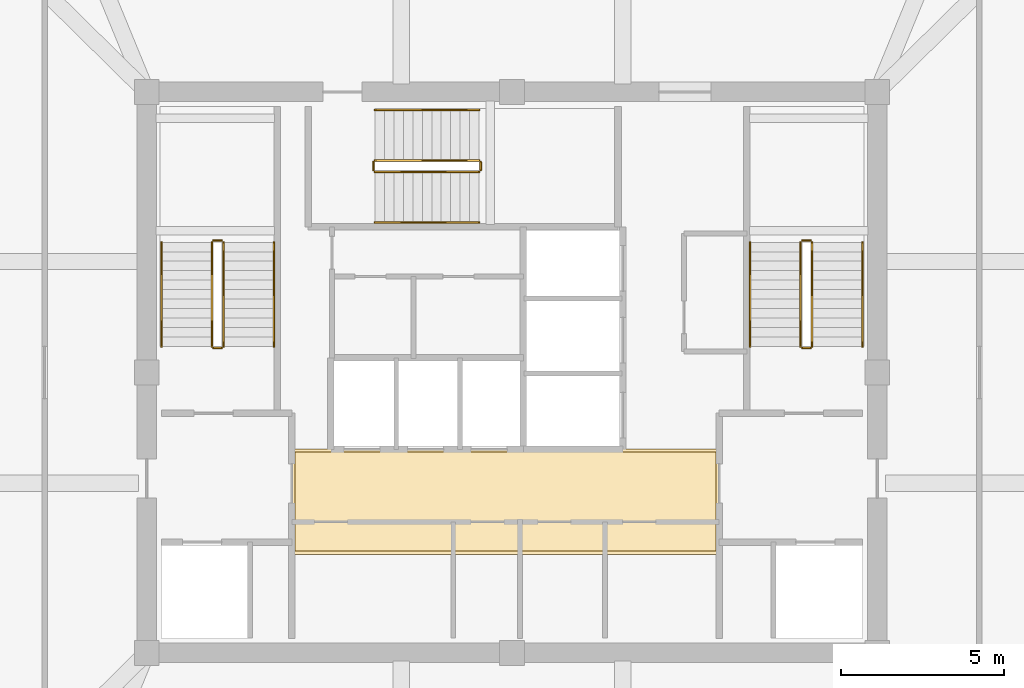
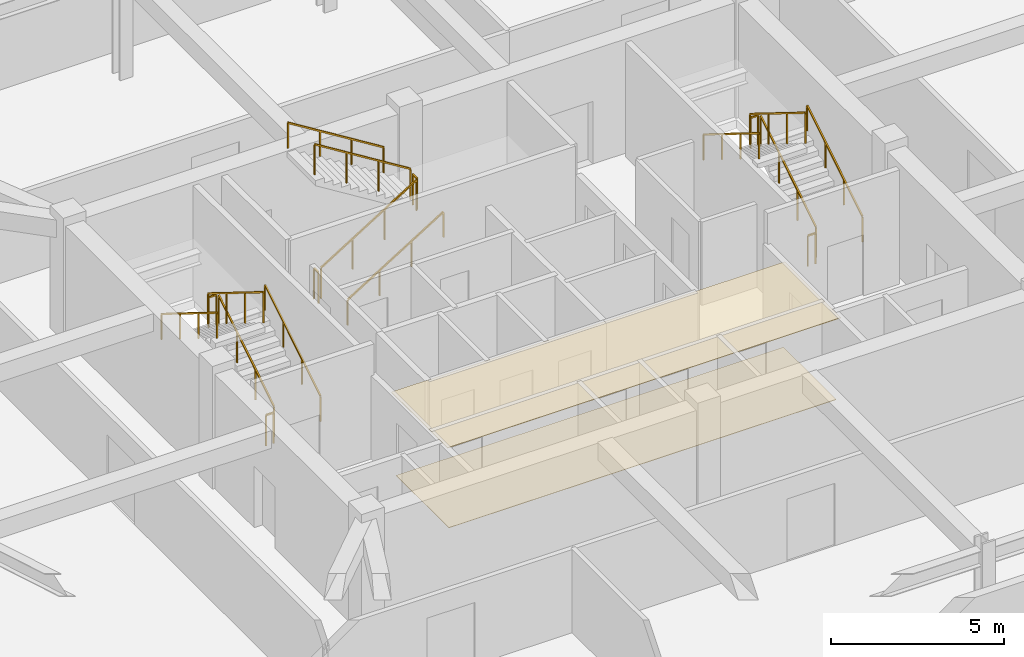
# One storey, part 9 of 9: 18 railings, 2 coverings.
"""IFC4 building model written with IfcOpenShell, lengths in metres."""

from ifc_helpers import new_model, si_unit, derived_unit, direction, frame, origin, origin_2d, place, context, subcontext, project, spatial, polyline, rectangle, outline, extrude, material, layer, layer_set, type_object, element, save


model = new_model("IFC4")

# Units and contexts
model_context = context("Model", 3, precision=1e-05, world=origin(), true_north=direction((0.0, 1.0)))
body_context = subcontext(model_context, "Body", "Model", "MODEL_VIEW")
ifc_project = project(units=[si_unit("LENGTHUNIT", "METRE"), si_unit("AREAUNIT", "SQUARE_METRE"), si_unit("VOLUMEUNIT", "CUBIC_METRE"), si_unit("PLANEANGLEUNIT", "RADIAN"), si_unit("MASSUNIT", "GRAM", prefix="KILO"), derived_unit("THERMALTRANSMITTANCEUNIT", [(si_unit("POWERUNIT", "WATT"), 1), (si_unit("LENGTHUNIT", "METRE"), -2), (si_unit("THERMODYNAMICTEMPERATUREUNIT", "KELVIN"), -1)])], contexts=[model_context])

# Site, building, storey
site_placement = place(None, origin())
site = spatial("IfcSite", under=ifc_project, at=site_placement, CompositionType="ELEMENT")
building_placement = place(site_placement, origin())
building = spatial("IfcBuilding", under=site, at=building_placement, Name="Koralith Skygarden Medical Center", CompositionType="ELEMENT")
storey_placement = place(building_placement, frame((0.0, 0.0, 290.340087890625)))
storey = spatial("IfcBuildingStorey", under=building, at=storey_placement, Name="L75", CompositionType="ELEMENT", Elevation=290.340087890625)

# Coverings
ifc_material_1 = material(Name="Acoustic Mineral Tile")
ifc_layer_1 = layer(ifc_material_1, 0.02001953125)
ifc_layer_set_1 = layer_set([ifc_layer_1], Name="Acoustic Mineral Tile")
covering_type_1 = type_object("IfcCoveringType", Name="Acoustic Hygienic Mineral Ceiling 20", PredefinedType="CEILING", material=ifc_layer_set_1)
covering_1_placement = place(storey_placement, frame((0.0, 0.0, 2.905029296875)))
element("IfcCovering", 1, at=covering_1_placement, inside=storey, type_object=covering_type_1, Name="L75 Core Lobby Acoustic Ceiling", PredefinedType="CEILING", context=body_context, shape_type="SweptSolid", body=[
    extrude(outline(polyline([(30.25, 20.320068359375), (43.35009765625, 20.320068359375), (43.35009765625, 23.56005859375), (30.25, 23.56005859375), (30.25, 20.320068359375)])), origin(), (0.0, 0.0, 1.0), 0.019775390625),
])
ifc_material_2 = material(Name="Medical Terrazzo Flooring")
ifc_layer_2 = layer(ifc_material_2, 0.014892578125)
ifc_layer_set_2 = layer_set([ifc_layer_2], Name="Medical Terrazzo Flooring")
covering_type_2 = type_object("IfcCoveringType", Name="Seamless Antimicrobial Terrazzo Flooring 15", PredefinedType="FLOORING", material=ifc_layer_set_2)
covering_2_placement = place(storey_placement, origin())
element("IfcCovering", 2, at=covering_2_placement, inside=storey, type_object=covering_type_2, Name="L75 Core Lobby Terrazzo Flooring", PredefinedType="FLOORING", context=body_context, shape_type="SweptSolid", body=[
    extrude(outline(polyline([(30.35009765625, 20.419921875), (43.25, 20.419921875), (43.25, 23.4599609375), (30.35009765625, 23.4599609375), (30.35009765625, 20.419921875)])), origin(), (0.0, 0.0, 1.0), 0.014892578125),
])

# Railings
ifc_material_3 = material(Name="Steel ASTM A500 Grade C", Category="steel")
railing_type_1 = type_object("IfcRailingType", Name="Stair Flight Tubular Handrail 920", PredefinedType="HANDRAIL", material=ifc_material_3)
railing_1_placement = place(storey_placement, frame((29.699951171875, 26.699951171875, 0.179931640625)))
element("IfcRailing", 3, at=railing_1_placement, inside=storey, type_object=railing_type_1, Name="L75 ST1 stair handrail 1", PredefinedType="HANDRAIL", context=body_context, shape_type="SweptSolid", body=[
    extrude(rectangle(XDim=0.050048828125, YDim=0.050048828125, at=origin_2d()), frame((0.0, 0.001708984375, 0.89599609375), z_axis=(0.0, 0.849638156785, 0.527366099152), x_axis=(-1.0, 0.0, 0.0)), (0.0, 0.0, 1.0), 3.75048828125),
    extrude(rectangle(XDim=0.0419921875, YDim=0.0419921875, at=origin_2d()), origin(), (0.0, 0.0, 1.0), 0.867919921875),
    extrude(rectangle(XDim=0.0419921875, YDim=0.0419921875, at=origin_2d()), frame((0.0, 1.063232421875, 0.659912109375)), (0.0, 0.0, 1.0), 0.867919921875),
    extrude(rectangle(XDim=0.0419921875, YDim=0.0419921875, at=origin_2d()), frame((0.0, 2.126708984375, 1.320068359375)), (0.0, 0.0, 1.0), 0.867919921875),
    extrude(rectangle(XDim=0.0419921875, YDim=0.0419921875, at=origin_2d()), frame((0.0, 3.18994140625, 1.97998046875)), (0.0, 0.0, 1.0), 0.867919921875),
])
railing_2_placement = place(storey_placement, frame((26.25, 29.889892578125, 2.33984375)))
element("IfcRailing", 4, at=railing_2_placement, inside=storey, type_object=railing_type_1, Name="L75 ST1 stair handrail 2", PredefinedType="HANDRAIL", context=body_context, shape_type="SweptSolid", body=[
    extrude(rectangle(XDim=0.050048828125, YDim=0.050048828125, at=origin_2d()), frame((0.0, -0.001708984375, 0.89599609375), z_axis=(0.0, -0.849638156785, 0.527366099152), x_axis=(1.0, 0.0, 0.0)), (0.0, 0.0, 1.0), 3.75048828125),
    extrude(rectangle(XDim=0.0419921875, YDim=0.0419921875, at=origin_2d()), origin(), (0.0, 0.0, 1.0), 0.867919921875),
    extrude(rectangle(XDim=0.0419921875, YDim=0.0419921875, at=origin_2d()), frame((0.0, -1.063232421875, 0.659912109375)), (0.0, 0.0, 1.0), 0.867919921875),
    extrude(rectangle(XDim=0.0419921875, YDim=0.0419921875, at=origin_2d()), frame((0.0, -2.126708984375, 1.320068359375)), (0.0, 0.0, 1.0), 0.867919921875),
    extrude(rectangle(XDim=0.0419921875, YDim=0.0419921875, at=origin_2d()), frame((0.0, -3.18994140625, 1.97998046875)), (0.0, 0.0, 1.0), 0.867919921875),
])
railing_3_placement = place(storey_placement, frame((47.75, 26.699951171875, 0.179931640625)))
element("IfcRailing", 5, at=railing_3_placement, inside=storey, type_object=railing_type_1, Name="L75 ST2 stair handrail 1", PredefinedType="HANDRAIL", context=body_context, shape_type="SweptSolid", body=[
    extrude(rectangle(XDim=0.050048828125, YDim=0.050048828125, at=origin_2d()), frame((0.0, 0.001708984375, 0.89599609375), z_axis=(0.0, 0.849638156785, 0.527366099152), x_axis=(-1.0, 0.0, 0.0)), (0.0, 0.0, 1.0), 3.75048828125),
    extrude(rectangle(XDim=0.0419921875, YDim=0.0419921875, at=origin_2d()), origin(), (0.0, 0.0, 1.0), 0.867919921875),
    extrude(rectangle(XDim=0.0419921875, YDim=0.0419921875, at=origin_2d()), frame((0.0, 1.063232421875, 0.659912109375)), (0.0, 0.0, 1.0), 0.867919921875),
    extrude(rectangle(XDim=0.0419921875, YDim=0.0419921875, at=origin_2d()), frame((0.0, 2.126708984375, 1.320068359375)), (0.0, 0.0, 1.0), 0.867919921875),
    extrude(rectangle(XDim=0.0419921875, YDim=0.0419921875, at=origin_2d()), frame((0.0, 3.18994140625, 1.97998046875)), (0.0, 0.0, 1.0), 0.867919921875),
])
railing_4_placement = place(storey_placement, frame((44.300048828125, 29.889892578125, 2.33984375)))
element("IfcRailing", 6, at=railing_4_placement, inside=storey, type_object=railing_type_1, Name="L75 ST2 stair handrail 2", PredefinedType="HANDRAIL", context=body_context, shape_type="SweptSolid", body=[
    extrude(rectangle(XDim=0.050048828125, YDim=0.050048828125, at=origin_2d()), frame((0.0, -0.001708984375, 0.89599609375), z_axis=(0.0, -0.849638156785, 0.527366099152), x_axis=(1.0, 0.0, 0.0)), (0.0, 0.0, 1.0), 3.75048828125),
    extrude(rectangle(XDim=0.0419921875, YDim=0.0419921875, at=origin_2d()), origin(), (0.0, 0.0, 1.0), 0.867919921875),
    extrude(rectangle(XDim=0.0419921875, YDim=0.0419921875, at=origin_2d()), frame((0.0, -1.063232421875, 0.659912109375)), (0.0, 0.0, 1.0), 0.867919921875),
    extrude(rectangle(XDim=0.0419921875, YDim=0.0419921875, at=origin_2d()), frame((0.0, -2.126708984375, 1.320068359375)), (0.0, 0.0, 1.0), 0.867919921875),
    extrude(rectangle(XDim=0.0419921875, YDim=0.0419921875, at=origin_2d()), frame((0.0, -3.18994140625, 1.97998046875)), (0.0, 0.0, 1.0), 0.867919921875),
])
railing_5_placement = place(storey_placement, frame((32.800048828125, 30.5, 0.179931640625)))
element("IfcRailing", 7, at=railing_5_placement, inside=storey, type_object=railing_type_1, Name="L75 ST3 stair handrail 1", PredefinedType="HANDRAIL", context=body_context, shape_type="SweptSolid", body=[
    extrude(rectangle(XDim=0.050048828125, YDim=0.050048828125, at=origin_2d()), frame((0.001708984375, 0.0, 0.89599609375), z_axis=(0.849638156785, 0.0, 0.527366099152), x_axis=(0.0, 1.0, 0.0)), (0.0, 0.0, 1.0), 3.75048828125),
    extrude(rectangle(XDim=0.0419921875, YDim=0.0419921875, at=origin_2d()), origin(), (0.0, 0.0, 1.0), 0.867919921875),
    extrude(rectangle(XDim=0.0419921875, YDim=0.0419921875, at=origin_2d()), frame((1.063232421875, 0.0, 0.659912109375)), (0.0, 0.0, 1.0), 0.867919921875),
    extrude(rectangle(XDim=0.0419921875, YDim=0.0419921875, at=origin_2d()), frame((2.126708984375, 0.0, 1.320068359375)), (0.0, 0.0, 1.0), 0.867919921875),
    extrude(rectangle(XDim=0.0419921875, YDim=0.0419921875, at=origin_2d()), frame((3.18994140625, 0.0, 1.97998046875)), (0.0, 0.0, 1.0), 0.867919921875),
])
railing_6_placement = place(storey_placement, frame((35.989990234375, 33.949951171875, 2.33984375)))
element("IfcRailing", 8, at=railing_6_placement, inside=storey, type_object=railing_type_1, Name="L75 ST3 stair handrail 2", PredefinedType="HANDRAIL", context=body_context, shape_type="SweptSolid", body=[
    extrude(rectangle(XDim=0.050048828125, YDim=0.050048828125, at=origin_2d()), frame((-0.001708984375, 0.0, 0.89599609375), z_axis=(-0.849638156785, 0.0, 0.527366099152), x_axis=(0.0, -1.0, 0.0)), (0.0, 0.0, 1.0), 3.75048828125),
    extrude(rectangle(XDim=0.0419921875, YDim=0.0419921875, at=origin_2d()), origin(), (0.0, 0.0, 1.0), 0.867919921875),
    extrude(rectangle(XDim=0.0419921875, YDim=0.0419921875, at=origin_2d()), frame((-1.063232421875, 0.0, 0.659912109375)), (0.0, 0.0, 1.0), 0.867919921875),
    extrude(rectangle(XDim=0.0419921875, YDim=0.0419921875, at=origin_2d()), frame((-2.126708984375, 0.0, 1.320068359375)), (0.0, 0.0, 1.0), 0.867919921875),
    extrude(rectangle(XDim=0.0419921875, YDim=0.0419921875, at=origin_2d()), frame((-3.18994140625, 0.0, 1.97998046875)), (0.0, 0.0, 1.0), 0.867919921875),
])
railing_type_2 = type_object("IfcRailingType", Name="Stair Well Safety Guardrail 1100", PredefinedType="GUARDRAIL", material=ifc_material_3)
railing_7_placement = place(storey_placement, frame((28.14990234375, 26.699951171875, 0.179931640625)))
element("IfcRailing", 9, at=railing_7_placement, inside=storey, type_object=railing_type_2, Name="L75 ST1 stair guard 1", PredefinedType="GUARDRAIL", context=body_context, shape_type="SweptSolid", body=[
    extrude(rectangle(XDim=0.050048828125, YDim=0.050048828125, at=origin_2d()), frame((0.0, 0.001708984375, 1.076171875), z_axis=(0.0, 0.849638156785, 0.527366099152), x_axis=(-1.0, 0.0, 0.0)), (0.0, 0.0, 1.0), 3.75048828125),
    extrude(rectangle(XDim=0.0419921875, YDim=0.0419921875, at=origin_2d()), origin(), (0.0, 0.0, 1.0), 1.048095703125),
    extrude(rectangle(XDim=0.0419921875, YDim=0.0419921875, at=origin_2d()), frame((0.0, 1.063232421875, 0.659912109375)), (0.0, 0.0, 1.0), 1.048095703125),
    extrude(rectangle(XDim=0.0419921875, YDim=0.0419921875, at=origin_2d()), frame((0.0, 2.126708984375, 1.320068359375)), (0.0, 0.0, 1.0), 1.048095703125),
    extrude(rectangle(XDim=0.0419921875, YDim=0.0419921875, at=origin_2d()), frame((0.0, 3.18994140625, 1.97998046875)), (0.0, 0.0, 1.0), 1.048095703125),
])
railing_8_placement = place(storey_placement, frame((28.10009765625, 29.93994140625, 2.159912109375)))
element("IfcRailing", 10, at=railing_8_placement, inside=storey, type_object=railing_type_2, Name="L75 ST1 stair guard 2", PredefinedType="GUARDRAIL", context=body_context, shape_type="SweptSolid", body=[
    extrude(rectangle(XDim=0.050048828125, YDim=0.050048828125, at=origin_2d()), frame((-0.001953125, 0.0, 1.0751953125), z_axis=(-1.0, 0.0, 0.0), x_axis=(0.0, -1.0, 0.0)), (0.0, 0.0, 1.0), 0.24609375),
    extrude(rectangle(XDim=0.0419921875, YDim=0.0419921875, at=origin_2d()), origin(), (0.0, 0.0, 1.0), 1.048095703125),
    extrude(rectangle(XDim=0.0419921875, YDim=0.0419921875, at=origin_2d()), frame((-0.25, 0.0, 0.0)), (0.0, 0.0, 1.0), 1.048095703125),
])
railing_9_placement = place(storey_placement, frame((27.800048828125, 29.889892578125, 2.33984375)))
element("IfcRailing", 11, at=railing_9_placement, inside=storey, type_object=railing_type_2, Name="L75 ST1 stair guard 3", PredefinedType="GUARDRAIL", context=body_context, shape_type="SweptSolid", body=[
    extrude(rectangle(XDim=0.050048828125, YDim=0.050048828125, at=origin_2d()), frame((0.0, -0.001708984375, 1.076171875), z_axis=(0.0, -0.849638156785, 0.527366099152), x_axis=(1.0, 0.0, 0.0)), (0.0, 0.0, 1.0), 3.75048828125),
    extrude(rectangle(XDim=0.0419921875, YDim=0.0419921875, at=origin_2d()), origin(), (0.0, 0.0, 1.0), 1.048095703125),
    extrude(rectangle(XDim=0.0419921875, YDim=0.0419921875, at=origin_2d()), frame((0.0, -1.063232421875, 0.659912109375)), (0.0, 0.0, 1.0), 1.048095703125),
    extrude(rectangle(XDim=0.0419921875, YDim=0.0419921875, at=origin_2d()), frame((0.0, -2.126708984375, 1.320068359375)), (0.0, 0.0, 1.0), 1.048095703125),
    extrude(rectangle(XDim=0.0419921875, YDim=0.0419921875, at=origin_2d()), frame((0.0, -3.18994140625, 1.97998046875)), (0.0, 0.0, 1.0), 1.048095703125),
])
railing_10_placement = place(storey_placement, frame((28.10009765625, 26.64990234375, 0.0)))
element("IfcRailing", 12, at=railing_10_placement, inside=storey, type_object=railing_type_2, Name="L75 ST1 stair guard 4", PredefinedType="GUARDRAIL", context=body_context, shape_type="SweptSolid", body=[
    extrude(rectangle(XDim=0.050048828125, YDim=0.050048828125, at=origin_2d()), frame((-0.001953125, 0.0, 1.0751953125), z_axis=(-1.0, 0.0, 0.0), x_axis=(0.0, -1.0, 0.0)), (0.0, 0.0, 1.0), 0.24609375),
    extrude(rectangle(XDim=0.0419921875, YDim=0.0419921875, at=origin_2d()), origin(), (0.0, 0.0, 1.0), 1.048095703125),
    extrude(rectangle(XDim=0.0419921875, YDim=0.0419921875, at=origin_2d()), frame((-0.25, 0.0, 0.0)), (0.0, 0.0, 1.0), 1.048095703125),
])
railing_11_placement = place(storey_placement, frame((46.199951171875, 26.699951171875, 0.179931640625)))
element("IfcRailing", 13, at=railing_11_placement, inside=storey, type_object=railing_type_2, Name="L75 ST2 stair guard 1", PredefinedType="GUARDRAIL", context=body_context, shape_type="SweptSolid", body=[
    extrude(rectangle(XDim=0.050048828125, YDim=0.050048828125, at=origin_2d()), frame((0.0, 0.001708984375, 1.076171875), z_axis=(0.0, 0.849638156785, 0.527366099152), x_axis=(-1.0, 0.0, 0.0)), (0.0, 0.0, 1.0), 3.75048828125),
    extrude(rectangle(XDim=0.0419921875, YDim=0.0419921875, at=origin_2d()), origin(), (0.0, 0.0, 1.0), 1.048095703125),
    extrude(rectangle(XDim=0.0419921875, YDim=0.0419921875, at=origin_2d()), frame((0.0, 1.063232421875, 0.659912109375)), (0.0, 0.0, 1.0), 1.048095703125),
    extrude(rectangle(XDim=0.0419921875, YDim=0.0419921875, at=origin_2d()), frame((0.0, 2.126708984375, 1.320068359375)), (0.0, 0.0, 1.0), 1.048095703125),
    extrude(rectangle(XDim=0.0419921875, YDim=0.0419921875, at=origin_2d()), frame((0.0, 3.18994140625, 1.97998046875)), (0.0, 0.0, 1.0), 1.048095703125),
])
railing_12_placement = place(storey_placement, frame((46.14990234375, 29.93994140625, 2.159912109375)))
element("IfcRailing", 14, at=railing_12_placement, inside=storey, type_object=railing_type_2, Name="L75 ST2 stair guard 2", PredefinedType="GUARDRAIL", context=body_context, shape_type="SweptSolid", body=[
    extrude(rectangle(XDim=0.050048828125, YDim=0.050048828125, at=origin_2d()), frame((-0.001953125, 0.0, 1.0751953125), z_axis=(-1.0, 0.0, 0.0), x_axis=(0.0, -1.0, 0.0)), (0.0, 0.0, 1.0), 0.24609375),
    extrude(rectangle(XDim=0.0419921875, YDim=0.0419921875, at=origin_2d()), origin(), (0.0, 0.0, 1.0), 1.048095703125),
    extrude(rectangle(XDim=0.0419921875, YDim=0.0419921875, at=origin_2d()), frame((-0.25, 0.0, 0.0)), (0.0, 0.0, 1.0), 1.048095703125),
])
railing_13_placement = place(storey_placement, frame((45.85009765625, 29.889892578125, 2.33984375)))
element("IfcRailing", 15, at=railing_13_placement, inside=storey, type_object=railing_type_2, Name="L75 ST2 stair guard 3", PredefinedType="GUARDRAIL", context=body_context, shape_type="SweptSolid", body=[
    extrude(rectangle(XDim=0.050048828125, YDim=0.050048828125, at=origin_2d()), frame((0.0, -0.001708984375, 1.076171875), z_axis=(0.0, -0.849638156785, 0.527366099152), x_axis=(1.0, 0.0, 0.0)), (0.0, 0.0, 1.0), 3.75048828125),
    extrude(rectangle(XDim=0.0419921875, YDim=0.0419921875, at=origin_2d()), origin(), (0.0, 0.0, 1.0), 1.048095703125),
    extrude(rectangle(XDim=0.0419921875, YDim=0.0419921875, at=origin_2d()), frame((0.0, -1.063232421875, 0.659912109375)), (0.0, 0.0, 1.0), 1.048095703125),
    extrude(rectangle(XDim=0.0419921875, YDim=0.0419921875, at=origin_2d()), frame((0.0, -2.126708984375, 1.320068359375)), (0.0, 0.0, 1.0), 1.048095703125),
    extrude(rectangle(XDim=0.0419921875, YDim=0.0419921875, at=origin_2d()), frame((0.0, -3.18994140625, 1.97998046875)), (0.0, 0.0, 1.0), 1.048095703125),
])
railing_14_placement = place(storey_placement, frame((46.14990234375, 26.64990234375, 0.0)))
element("IfcRailing", 16, at=railing_14_placement, inside=storey, type_object=railing_type_2, Name="L75 ST2 stair guard 4", PredefinedType="GUARDRAIL", context=body_context, shape_type="SweptSolid", body=[
    extrude(rectangle(XDim=0.050048828125, YDim=0.050048828125, at=origin_2d()), frame((-0.001953125, 0.0, 1.0751953125), z_axis=(-1.0, 0.0, 0.0), x_axis=(0.0, -1.0, 0.0)), (0.0, 0.0, 1.0), 0.24609375),
    extrude(rectangle(XDim=0.0419921875, YDim=0.0419921875, at=origin_2d()), origin(), (0.0, 0.0, 1.0), 1.048095703125),
    extrude(rectangle(XDim=0.0419921875, YDim=0.0419921875, at=origin_2d()), frame((-0.25, 0.0, 0.0)), (0.0, 0.0, 1.0), 1.048095703125),
])
railing_15_placement = place(storey_placement, frame((32.800048828125, 32.050048828125, 0.179931640625)))
element("IfcRailing", 17, at=railing_15_placement, inside=storey, type_object=railing_type_2, Name="L75 ST3 stair guard 1", PredefinedType="GUARDRAIL", context=body_context, shape_type="SweptSolid", body=[
    extrude(rectangle(XDim=0.050048828125, YDim=0.050048828125, at=origin_2d()), frame((0.001708984375, 0.0, 1.076171875), z_axis=(0.849638156785, 0.0, 0.527366099152), x_axis=(0.0, 1.0, 0.0)), (0.0, 0.0, 1.0), 3.75048828125),
    extrude(rectangle(XDim=0.0419921875, YDim=0.0419921875, at=origin_2d()), origin(), (0.0, 0.0, 1.0), 1.048095703125),
    extrude(rectangle(XDim=0.0419921875, YDim=0.0419921875, at=origin_2d()), frame((1.063232421875, 0.0, 0.659912109375)), (0.0, 0.0, 1.0), 1.048095703125),
    extrude(rectangle(XDim=0.0419921875, YDim=0.0419921875, at=origin_2d()), frame((2.126708984375, 0.0, 1.320068359375)), (0.0, 0.0, 1.0), 1.048095703125),
    extrude(rectangle(XDim=0.0419921875, YDim=0.0419921875, at=origin_2d()), frame((3.18994140625, 0.0, 1.97998046875)), (0.0, 0.0, 1.0), 1.048095703125),
])
railing_16_placement = place(storey_placement, frame((36.0400390625, 32.10009765625, 2.159912109375)))
element("IfcRailing", 18, at=railing_16_placement, inside=storey, type_object=railing_type_2, Name="L75 ST3 stair guard 2", PredefinedType="GUARDRAIL", context=body_context, shape_type="SweptSolid", body=[
    extrude(rectangle(XDim=0.050048828125, YDim=0.050048828125, at=origin_2d()), frame((0.0, 0.001953125, 1.0751953125), z_axis=(0.0, 1.0, 0.0), x_axis=(-1.0, 0.0, 0.0)), (0.0, 0.0, 1.0), 0.24609375),
    extrude(rectangle(XDim=0.0419921875, YDim=0.0419921875, at=origin_2d()), origin(), (0.0, 0.0, 1.0), 1.048095703125),
    extrude(rectangle(XDim=0.0419921875, YDim=0.0419921875, at=origin_2d()), frame((0.0, 0.25, 0.0)), (0.0, 0.0, 1.0), 1.048095703125),
])
railing_17_placement = place(storey_placement, frame((35.989990234375, 32.39990234375, 2.33984375)))
element("IfcRailing", 19, at=railing_17_placement, inside=storey, type_object=railing_type_2, Name="L75 ST3 stair guard 3", PredefinedType="GUARDRAIL", context=body_context, shape_type="SweptSolid", body=[
    extrude(rectangle(XDim=0.050048828125, YDim=0.050048828125, at=origin_2d()), frame((-0.001708984375, 0.0, 1.076171875), z_axis=(-0.849638156785, 0.0, 0.527366099152), x_axis=(0.0, -1.0, 0.0)), (0.0, 0.0, 1.0), 3.75048828125),
    extrude(rectangle(XDim=0.0419921875, YDim=0.0419921875, at=origin_2d()), origin(), (0.0, 0.0, 1.0), 1.048095703125),
    extrude(rectangle(XDim=0.0419921875, YDim=0.0419921875, at=origin_2d()), frame((-1.063232421875, 0.0, 0.659912109375)), (0.0, 0.0, 1.0), 1.048095703125),
    extrude(rectangle(XDim=0.0419921875, YDim=0.0419921875, at=origin_2d()), frame((-2.126708984375, 0.0, 1.320068359375)), (0.0, 0.0, 1.0), 1.048095703125),
    extrude(rectangle(XDim=0.0419921875, YDim=0.0419921875, at=origin_2d()), frame((-3.18994140625, 0.0, 1.97998046875)), (0.0, 0.0, 1.0), 1.048095703125),
])
railing_18_placement = place(storey_placement, frame((32.75, 32.10009765625, 0.0)))
element("IfcRailing", 20, at=railing_18_placement, inside=storey, type_object=railing_type_2, Name="L75 ST3 stair guard 4", PredefinedType="GUARDRAIL", context=body_context, shape_type="SweptSolid", body=[
    extrude(rectangle(XDim=0.050048828125, YDim=0.050048828125, at=origin_2d()), frame((0.0, 0.001953125, 1.0751953125), z_axis=(0.0, 1.0, 0.0), x_axis=(-1.0, 0.0, 0.0)), (0.0, 0.0, 1.0), 0.24609375),
    extrude(rectangle(XDim=0.0419921875, YDim=0.0419921875, at=origin_2d()), origin(), (0.0, 0.0, 1.0), 1.048095703125),
    extrude(rectangle(XDim=0.0419921875, YDim=0.0419921875, at=origin_2d()), frame((0.0, 0.25, 0.0)), (0.0, 0.0, 1.0), 1.048095703125),
])

save(model, "model.ifc")
